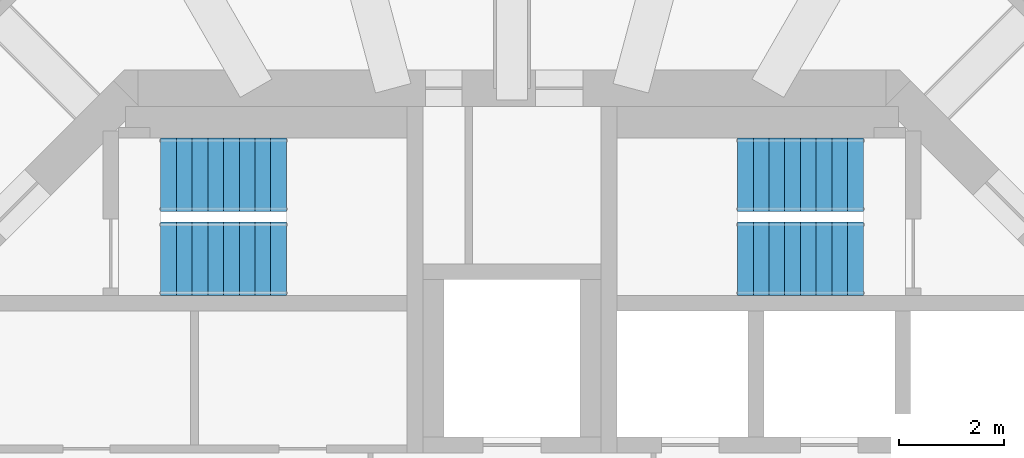
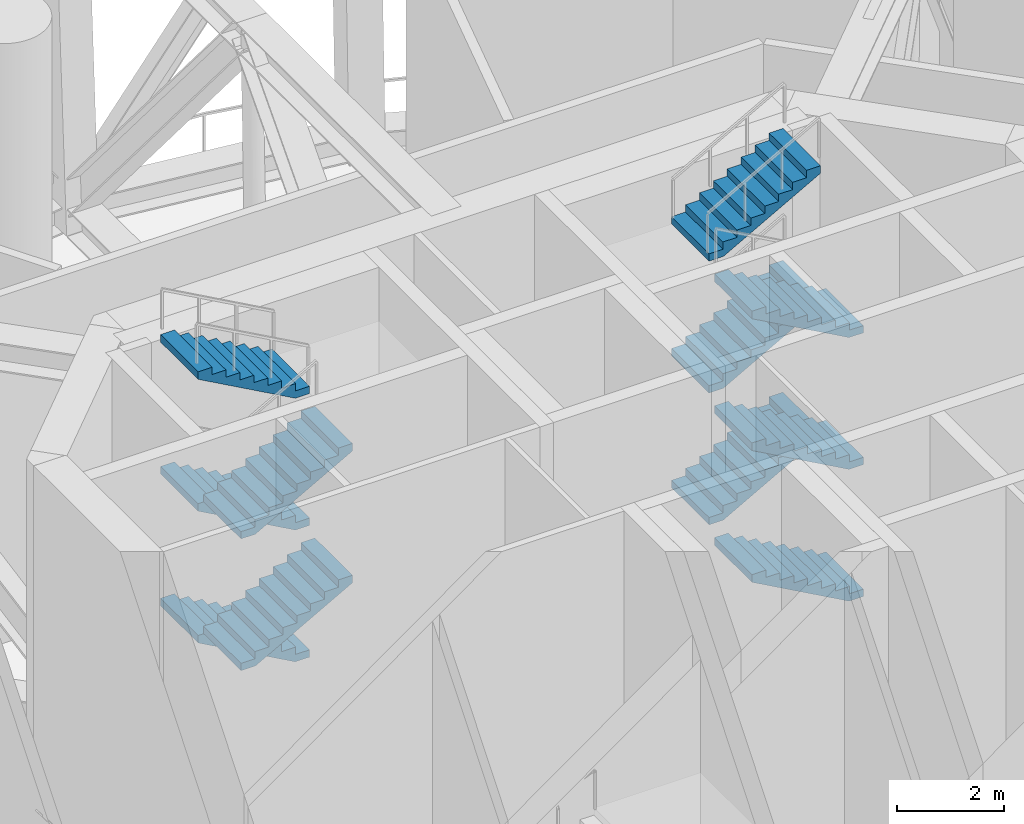
# One storey, part 8 of 12: 11 stair flights, 2 elements without a shape of their own.
"""IFC4 building model written with IfcOpenShell, lengths in metres."""

from ifc_helpers import new_model, si_unit, direction, frame, origin, place, context, subcontext, project, spatial, polyline, outline, extrude, material, type_object, element, aggregate, save


model = new_model("IFC4")

# Units and contexts
model_context = context("Model", 3, precision=1e-05, world=origin(), true_north=direction((0.0, 1.0)))
body_context = subcontext(model_context, "Body", "Model", "MODEL_VIEW")
ifc_project = project(units=[si_unit("LENGTHUNIT", "METRE"), si_unit("AREAUNIT", "SQUARE_METRE"), si_unit("VOLUMEUNIT", "CUBIC_METRE"), si_unit("PLANEANGLEUNIT", "RADIAN"), si_unit("MASSUNIT", "GRAM", prefix="KILO")], contexts=[model_context])

# Site, building, storey
site_placement = place(None, origin())
site = spatial("IfcSite", under=ifc_project, at=site_placement, CompositionType="ELEMENT")
building_placement = place(site_placement, origin())
building = spatial("IfcBuilding", under=site, at=building_placement, Name="Torre Triforio", CompositionType="ELEMENT")
storey_placement = place(building_placement, frame((0.0, 0.0, 183.800048828125)))
storey = spatial("IfcBuildingStorey", under=building, at=storey_placement, Name="L42", CompositionType="ELEMENT", Elevation=183.800048828125)

# Stair, stair flights
ifc_material = material(Name="Concrete C40", Category="concrete")
stair_type = type_object("IfcStairType", Name="STAIR DOUBLE RETURN", PredefinedType="DOUBLE_RETURN_STAIR", material=ifc_material)
stair_1_placement = place(storey_placement, origin())
stair_1 = element("IfcStair", 1, at=stair_1_placement, inside=storey, type_object=stair_type, Name="Exit stair 1", PredefinedType="DOUBLE_RETURN_STAIR")
stair_flight_type = type_object("IfcStairFlightType", Name="STAIR FLIGHT 1400", PredefinedType="STRAIGHT", material=ifc_material)
stair_flight_1_placement = place(storey_placement, frame((-4.300048828125, 6.800048828125, 1.5), z_axis=(0.0, 0.0, 1.0), x_axis=(-1.0, 0.0, 0.0)))
stair_flight_1 = element("IfcStairFlight", 2, at=stair_flight_1_placement, type_object=stair_flight_type, Name="ST1 flight 2", NumberOfRisers=9, NumberOfTreads=8, PredefinedType="STRAIGHT", RiserHeight=0.166666667, TreadLength=0.3, context=body_context, shape_type="SweptSolid", body=[
    extrude(outline(polyline([(0.0, 0.0), (0.0, 0.166748046875), (0.300048828125, 0.166748046875), (0.300048828125, 0.333251953125), (0.60009765625, 0.333251953125), (0.60009765625, 0.5), (0.89990234375, 0.5), (0.89990234375, 0.666748046875), (1.199951171875, 0.666748046875), (1.199951171875, 0.833251953125), (1.5, 0.833251953125), (1.5, 1.0), (1.800048828125, 1.0), (1.800048828125, 1.166748046875), (2.10009765625, 1.166748046875), (2.10009765625, 1.333251953125), (2.39990234375, 1.333251953125), (2.39990234375, 1.5), (2.39990234375, 1.161865234375), (0.30859375, 0.0), (0.0, 0.0)])), frame((0.0, 0.699951171875, 0.0), z_axis=(0.0, -1.0, 0.0), x_axis=(1.0, 0.0, 0.0)), (0.0, 0.0, 1.0), 1.39990234375),
])
stair_flight_2_placement = place(storey_placement, frame((-6.699951171875, 5.199951171875, 3.0), z_axis=(0.0, 0.0, 1.0), x_axis=(1.0, 0.0, 0.0)))
stair_flight_2 = element("IfcStairFlight", 3, at=stair_flight_2_placement, type_object=stair_flight_type, Name="ST1 flight 3", NumberOfRisers=9, NumberOfTreads=8, PredefinedType="STRAIGHT", RiserHeight=0.166666667, TreadLength=0.3, context=body_context, shape_type="SweptSolid", body=[
    extrude(outline(polyline([(0.0, 0.0), (0.0, 0.166748046875), (0.300048828125, 0.166748046875), (0.300048828125, 0.333251953125), (0.60009765625, 0.333251953125), (0.60009765625, 0.5), (0.89990234375, 0.5), (0.89990234375, 0.666748046875), (1.199951171875, 0.666748046875), (1.199951171875, 0.833251953125), (1.5, 0.833251953125), (1.5, 1.0), (1.800048828125, 1.0), (1.800048828125, 1.166748046875), (2.10009765625, 1.166748046875), (2.10009765625, 1.333251953125), (2.39990234375, 1.333251953125), (2.39990234375, 1.5), (2.39990234375, 1.161865234375), (0.30859375, 0.0), (0.0, 0.0)])), frame((0.0, 0.699951171875, 0.0), z_axis=(0.0, -1.0, 0.0), x_axis=(1.0, 0.0, 0.0)), (0.0, 0.0, 1.0), 1.39990234375),
])
stair_flight_3_placement = place(storey_placement, frame((-4.300048828125, 6.800048828125, 4.5), z_axis=(0.0, 0.0, 1.0), x_axis=(-1.0, 0.0, 0.0)))
stair_flight_3 = element("IfcStairFlight", 4, at=stair_flight_3_placement, type_object=stair_flight_type, Name="ST1 flight 4", NumberOfRisers=9, NumberOfTreads=8, PredefinedType="STRAIGHT", RiserHeight=0.166666667, TreadLength=0.3, context=body_context, shape_type="SweptSolid", body=[
    extrude(outline(polyline([(0.0, 0.0), (0.0, 0.166748046875), (0.300048828125, 0.166748046875), (0.300048828125, 0.333251953125), (0.60009765625, 0.333251953125), (0.60009765625, 0.5), (0.89990234375, 0.5), (0.89990234375, 0.666748046875), (1.199951171875, 0.666748046875), (1.199951171875, 0.833251953125), (1.5, 0.833251953125), (1.5, 1.0), (1.800048828125, 1.0), (1.800048828125, 1.166748046875), (2.10009765625, 1.166748046875), (2.10009765625, 1.333251953125), (2.39990234375, 1.333251953125), (2.39990234375, 1.5), (2.39990234375, 1.161865234375), (0.30859375, 0.0), (0.0, 0.0)])), frame((0.0, 0.699951171875, 0.0), z_axis=(0.0, -1.0, 0.0), x_axis=(1.0, 0.0, 0.0)), (0.0, 0.0, 1.0), 1.39990234375),
])
stair_flight_4_placement = place(storey_placement, frame((-6.699951171875, 5.199951171875, 6.0), z_axis=(0.0, 0.0, 1.0), x_axis=(1.0, 0.0, 0.0)))
stair_flight_4 = element("IfcStairFlight", 5, at=stair_flight_4_placement, type_object=stair_flight_type, Name="ST1 flight 5", NumberOfRisers=9, NumberOfTreads=8, PredefinedType="STRAIGHT", RiserHeight=0.166666667, TreadLength=0.3, context=body_context, shape_type="SweptSolid", body=[
    extrude(outline(polyline([(0.0, 0.0), (0.0, 0.166748046875), (0.300048828125, 0.166748046875), (0.300048828125, 0.333251953125), (0.60009765625, 0.333251953125), (0.60009765625, 0.5), (0.89990234375, 0.5), (0.89990234375, 0.666748046875), (1.199951171875, 0.666748046875), (1.199951171875, 0.833251953125), (1.5, 0.833251953125), (1.5, 1.0), (1.800048828125, 1.0), (1.800048828125, 1.166748046875), (2.10009765625, 1.166748046875), (2.10009765625, 1.333251953125), (2.39990234375, 1.333251953125), (2.39990234375, 1.5), (2.39990234375, 1.161865234375), (0.30859375, 0.0), (0.0, 0.0)])), frame((0.0, 0.699951171875, 0.0), z_axis=(0.0, -1.0, 0.0), x_axis=(1.0, 0.0, 0.0)), (0.0, 0.0, 1.0), 1.39990234375),
])
stair_flight_5_placement = place(storey_placement, frame((-4.300048828125, 6.800048828125, 7.5), z_axis=(0.0, 0.0, 1.0), x_axis=(-1.0, 0.0, 0.0)))
stair_flight_5 = element("IfcStairFlight", 6, at=stair_flight_5_placement, type_object=stair_flight_type, Name="ST1 flight 6", NumberOfRisers=9, NumberOfTreads=8, PredefinedType="STRAIGHT", RiserHeight=0.166666667, TreadLength=0.3, context=body_context, shape_type="SweptSolid", body=[
    extrude(outline(polyline([(0.0, 0.0), (0.0, 0.166748046875), (0.300048828125, 0.166748046875), (0.300048828125, 0.333251953125), (0.60009765625, 0.333251953125), (0.60009765625, 0.5), (0.89990234375, 0.5), (0.89990234375, 0.666748046875), (1.199951171875, 0.666748046875), (1.199951171875, 0.833251953125), (1.5, 0.833251953125), (1.5, 1.0), (1.800048828125, 1.0), (1.800048828125, 1.166748046875), (2.10009765625, 1.166748046875), (2.10009765625, 1.333251953125), (2.39990234375, 1.333251953125), (2.39990234375, 1.5), (2.39990234375, 1.161865234375), (0.30859375, 0.0), (0.0, 0.0)])), frame((0.0, 0.699951171875, 0.0), z_axis=(0.0, -1.0, 0.0), x_axis=(1.0, 0.0, 0.0)), (0.0, 0.0, 1.0), 1.39990234375),
])
aggregate(stair_1, [stair_flight_1, stair_flight_2, stair_flight_3, stair_flight_4, stair_flight_5])

stair_2_placement = place(storey_placement, origin())
stair_2 = element("IfcStair", 7, at=stair_2_placement, inside=storey, type_object=stair_type, Name="Exit stair 2", PredefinedType="DOUBLE_RETURN_STAIR")
stair_flight_6_placement = place(storey_placement, frame((6.699951171875, 5.199951171875, 0.0), z_axis=(0.0, 0.0, 1.0), x_axis=(-1.0, 0.0, 0.0)))
stair_flight_6 = element("IfcStairFlight", 8, at=stair_flight_6_placement, type_object=stair_flight_type, Name="ST2 flight 1", NumberOfRisers=9, NumberOfTreads=8, PredefinedType="STRAIGHT", RiserHeight=0.166666667, TreadLength=0.3, context=body_context, shape_type="SweptSolid", body=[
    extrude(outline(polyline([(0.0, 0.0), (0.0, 0.166748046875), (0.300048828125, 0.166748046875), (0.300048828125, 0.333251953125), (0.60009765625, 0.333251953125), (0.60009765625, 0.5), (0.89990234375, 0.5), (0.89990234375, 0.666748046875), (1.199951171875, 0.666748046875), (1.199951171875, 0.833251953125), (1.5, 0.833251953125), (1.5, 1.0), (1.800048828125, 1.0), (1.800048828125, 1.166748046875), (2.10009765625, 1.166748046875), (2.10009765625, 1.333251953125), (2.39990234375, 1.333251953125), (2.39990234375, 1.5), (2.39990234375, 1.161865234375), (0.30859375, 0.0), (0.0, 0.0)])), frame((0.0, 0.699951171875, 0.0), z_axis=(0.0, -1.0, 0.0), x_axis=(1.0, 0.0, 0.0)), (0.0, 0.0, 1.0), 1.39990234375),
])
stair_flight_7_placement = place(storey_placement, frame((4.300048828125, 6.800048828125, 1.5), z_axis=(0.0, 0.0, 1.0), x_axis=(1.0, 0.0, 0.0)))
stair_flight_7 = element("IfcStairFlight", 9, at=stair_flight_7_placement, type_object=stair_flight_type, Name="ST2 flight 2", NumberOfRisers=9, NumberOfTreads=8, PredefinedType="STRAIGHT", RiserHeight=0.166666667, TreadLength=0.3, context=body_context, shape_type="SweptSolid", body=[
    extrude(outline(polyline([(0.0, 0.0), (0.0, 0.166748046875), (0.300048828125, 0.166748046875), (0.300048828125, 0.333251953125), (0.60009765625, 0.333251953125), (0.60009765625, 0.5), (0.89990234375, 0.5), (0.89990234375, 0.666748046875), (1.199951171875, 0.666748046875), (1.199951171875, 0.833251953125), (1.5, 0.833251953125), (1.5, 1.0), (1.800048828125, 1.0), (1.800048828125, 1.166748046875), (2.10009765625, 1.166748046875), (2.10009765625, 1.333251953125), (2.39990234375, 1.333251953125), (2.39990234375, 1.5), (2.39990234375, 1.161865234375), (0.30859375, 0.0), (0.0, 0.0)])), frame((0.0, 0.699951171875, 0.0), z_axis=(0.0, -1.0, 0.0), x_axis=(1.0, 0.0, 0.0)), (0.0, 0.0, 1.0), 1.39990234375),
])
stair_flight_8_placement = place(storey_placement, frame((6.699951171875, 5.199951171875, 3.0), z_axis=(0.0, 0.0, 1.0), x_axis=(-1.0, 0.0, 0.0)))
stair_flight_8 = element("IfcStairFlight", 10, at=stair_flight_8_placement, type_object=stair_flight_type, Name="ST2 flight 3", NumberOfRisers=9, NumberOfTreads=8, PredefinedType="STRAIGHT", RiserHeight=0.166666667, TreadLength=0.3, context=body_context, shape_type="SweptSolid", body=[
    extrude(outline(polyline([(0.0, 0.0), (0.0, 0.166748046875), (0.300048828125, 0.166748046875), (0.300048828125, 0.333251953125), (0.60009765625, 0.333251953125), (0.60009765625, 0.5), (0.89990234375, 0.5), (0.89990234375, 0.666748046875), (1.199951171875, 0.666748046875), (1.199951171875, 0.833251953125), (1.5, 0.833251953125), (1.5, 1.0), (1.800048828125, 1.0), (1.800048828125, 1.166748046875), (2.10009765625, 1.166748046875), (2.10009765625, 1.333251953125), (2.39990234375, 1.333251953125), (2.39990234375, 1.5), (2.39990234375, 1.161865234375), (0.30859375, 0.0), (0.0, 0.0)])), frame((0.0, 0.699951171875, 0.0), z_axis=(0.0, -1.0, 0.0), x_axis=(1.0, 0.0, 0.0)), (0.0, 0.0, 1.0), 1.39990234375),
])
stair_flight_9_placement = place(storey_placement, frame((4.300048828125, 6.800048828125, 4.5), z_axis=(0.0, 0.0, 1.0), x_axis=(1.0, 0.0, 0.0)))
stair_flight_9 = element("IfcStairFlight", 11, at=stair_flight_9_placement, type_object=stair_flight_type, Name="ST2 flight 4", NumberOfRisers=9, NumberOfTreads=8, PredefinedType="STRAIGHT", RiserHeight=0.166666667, TreadLength=0.3, context=body_context, shape_type="SweptSolid", body=[
    extrude(outline(polyline([(0.0, 0.0), (0.0, 0.166748046875), (0.300048828125, 0.166748046875), (0.300048828125, 0.333251953125), (0.60009765625, 0.333251953125), (0.60009765625, 0.5), (0.89990234375, 0.5), (0.89990234375, 0.666748046875), (1.199951171875, 0.666748046875), (1.199951171875, 0.833251953125), (1.5, 0.833251953125), (1.5, 1.0), (1.800048828125, 1.0), (1.800048828125, 1.166748046875), (2.10009765625, 1.166748046875), (2.10009765625, 1.333251953125), (2.39990234375, 1.333251953125), (2.39990234375, 1.5), (2.39990234375, 1.161865234375), (0.30859375, 0.0), (0.0, 0.0)])), frame((0.0, 0.699951171875, 0.0), z_axis=(0.0, -1.0, 0.0), x_axis=(1.0, 0.0, 0.0)), (0.0, 0.0, 1.0), 1.39990234375),
])
stair_flight_10_placement = place(storey_placement, frame((6.699951171875, 5.199951171875, 6.0), z_axis=(0.0, 0.0, 1.0), x_axis=(-1.0, 0.0, 0.0)))
stair_flight_10 = element("IfcStairFlight", 12, at=stair_flight_10_placement, type_object=stair_flight_type, Name="ST2 flight 5", NumberOfRisers=9, NumberOfTreads=8, PredefinedType="STRAIGHT", RiserHeight=0.166666667, TreadLength=0.3, context=body_context, shape_type="SweptSolid", body=[
    extrude(outline(polyline([(0.0, 0.0), (0.0, 0.166748046875), (0.300048828125, 0.166748046875), (0.300048828125, 0.333251953125), (0.60009765625, 0.333251953125), (0.60009765625, 0.5), (0.89990234375, 0.5), (0.89990234375, 0.666748046875), (1.199951171875, 0.666748046875), (1.199951171875, 0.833251953125), (1.5, 0.833251953125), (1.5, 1.0), (1.800048828125, 1.0), (1.800048828125, 1.166748046875), (2.10009765625, 1.166748046875), (2.10009765625, 1.333251953125), (2.39990234375, 1.333251953125), (2.39990234375, 1.5), (2.39990234375, 1.161865234375), (0.30859375, 0.0), (0.0, 0.0)])), frame((0.0, 0.699951171875, 0.0), z_axis=(0.0, -1.0, 0.0), x_axis=(1.0, 0.0, 0.0)), (0.0, 0.0, 1.0), 1.39990234375),
])
stair_flight_11_placement = place(storey_placement, frame((4.300048828125, 6.800048828125, 7.5), z_axis=(0.0, 0.0, 1.0), x_axis=(1.0, 0.0, 0.0)))
stair_flight_11 = element("IfcStairFlight", 13, at=stair_flight_11_placement, type_object=stair_flight_type, Name="ST2 flight 6", NumberOfRisers=9, NumberOfTreads=8, PredefinedType="STRAIGHT", RiserHeight=0.166666667, TreadLength=0.3, context=body_context, shape_type="SweptSolid", body=[
    extrude(outline(polyline([(0.0, 0.0), (0.0, 0.166748046875), (0.300048828125, 0.166748046875), (0.300048828125, 0.333251953125), (0.60009765625, 0.333251953125), (0.60009765625, 0.5), (0.89990234375, 0.5), (0.89990234375, 0.666748046875), (1.199951171875, 0.666748046875), (1.199951171875, 0.833251953125), (1.5, 0.833251953125), (1.5, 1.0), (1.800048828125, 1.0), (1.800048828125, 1.166748046875), (2.10009765625, 1.166748046875), (2.10009765625, 1.333251953125), (2.39990234375, 1.333251953125), (2.39990234375, 1.5), (2.39990234375, 1.161865234375), (0.30859375, 0.0), (0.0, 0.0)])), frame((0.0, 0.699951171875, 0.0), z_axis=(0.0, -1.0, 0.0), x_axis=(1.0, 0.0, 0.0)), (0.0, 0.0, 1.0), 1.39990234375),
])
aggregate(stair_2, [stair_flight_6, stair_flight_7, stair_flight_8, stair_flight_9, stair_flight_10, stair_flight_11])

save(model, "model.ifc")
